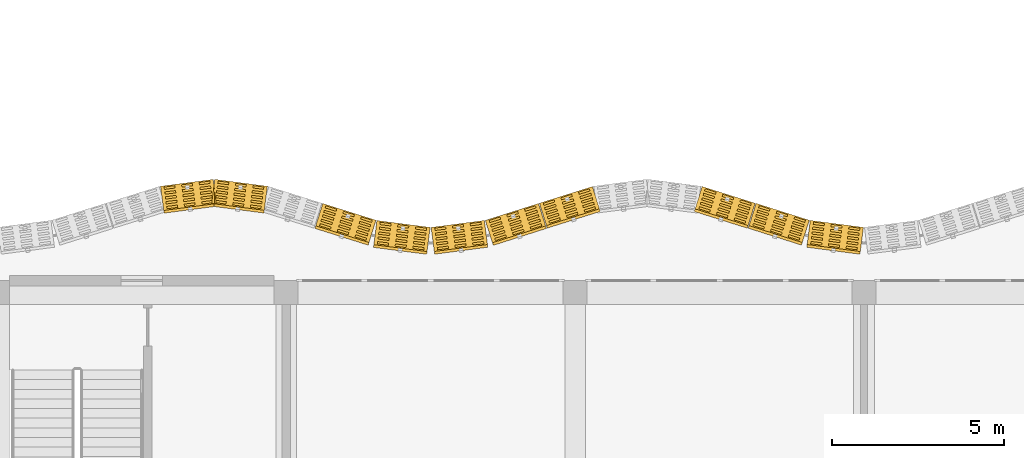
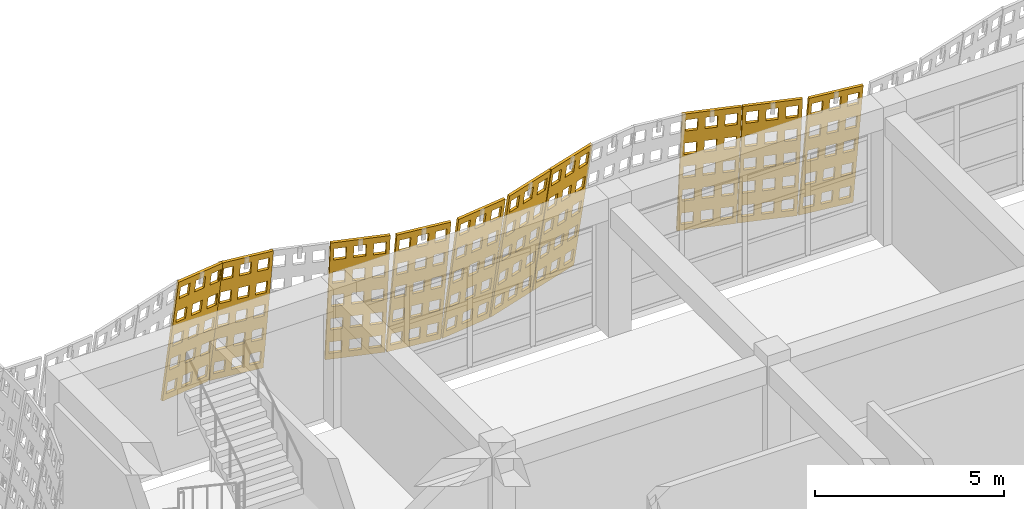
# One storey, part 124 of 162: 10 coverings.
"""IFC4 building model written with IfcOpenShell, lengths in metres."""

from ifc_helpers import new_model, si_unit, direction, frame, origin, place, context, subcontext, project, spatial, polyline, outline, extrude, material, layer, layer_set, type_object, element, save


model = new_model("IFC4")

# Units and contexts
model_context = context("Model", 3, precision=1e-05, world=origin(), true_north=direction((0.0, 1.0)))
body_context = subcontext(model_context, "Body", "Model", "MODEL_VIEW")
ifc_project = project(units=[si_unit("LENGTHUNIT", "METRE"), si_unit("AREAUNIT", "SQUARE_METRE"), si_unit("VOLUMEUNIT", "CUBIC_METRE"), si_unit("PLANEANGLEUNIT", "RADIAN"), si_unit("MASSUNIT", "GRAM", prefix="KILO")], contexts=[model_context])

# Site, building, storey
site_placement = place(None, origin())
site = spatial("IfcSite", under=ifc_project, at=site_placement, CompositionType="ELEMENT")
building_placement = place(site_placement, origin())
building = spatial("IfcBuilding", under=site, at=building_placement, Name="Rain Tree Exposition and Congress Centre", CompositionType="ELEMENT")
storey_placement = place(building_placement, frame((0.0, 0.0, 6.0)))
storey = spatial("IfcBuildingStorey", under=building, at=storey_placement, Name="L01", CompositionType="ELEMENT", Elevation=6.0)

# Coverings
ifc_material = material(Name="Perforated terracotta", Category="masonry")
ifc_layer = layer(ifc_material, 0.080078125)
ifc_layer_set = layer_set([ifc_layer], Name="Perforated terracotta")
covering_type = type_object("IfcCoveringType", Name="Terracotta screen 80", PredefinedType="CLADDING", material=ifc_layer_set)
covering_1_placement = place(storey_placement, frame((25.19970703125, 52.298095703125, 0.01318359375), z_axis=(-0.128349774249, -0.9779030419, -0.165021138321), x_axis=(0.991496427865, -0.130133906157, 0.0)))
element("IfcCovering", 1, at=covering_1_placement, inside=storey, type_object=covering_type, Name="wing/screen/L01/085", PredefinedType="CLADDING", context=body_context, shape_type="SweptSolid", body=[
    extrude(outline(polyline([(-1.5732421875, 0.0), (-1.5732421875, 4.295166015625), (-0.014892578125, 4.295166015625), (-0.014892578125, 0.0), (-1.5732421875, 0.0)]), holes=[polyline([(-0.11376953125, 0.2216796875), (-0.11376953125, 0.63720703125), (-0.435791015625, 0.63720703125), (-0.435791015625, 0.2216796875), (-0.11376953125, 0.2216796875)]), polyline([(-0.11376953125, 1.080810546875), (-0.11376953125, 1.496337890625), (-0.435791015625, 1.496337890625), (-0.435791015625, 1.080810546875), (-0.11376953125, 1.080810546875)]), polyline([(-0.11376953125, 1.939697265625), (-0.11376953125, 2.35546875), (-0.435791015625, 2.35546875), (-0.435791015625, 1.939697265625), (-0.11376953125, 1.939697265625)]), polyline([(-0.11376953125, 2.798583984375), (-0.11376953125, 3.21435546875), (-0.435791015625, 3.21435546875), (-0.435791015625, 2.798583984375), (-0.11376953125, 2.798583984375)]), polyline([(-0.11376953125, 3.65771484375), (-0.11376953125, 4.073486328125), (-0.435791015625, 4.073486328125), (-0.435791015625, 3.65771484375), (-0.11376953125, 3.65771484375)]), polyline([(-0.633056640625, 0.2216796875), (-0.633056640625, 0.63720703125), (-0.955078125, 0.63720703125), (-0.955078125, 0.2216796875), (-0.633056640625, 0.2216796875)]), polyline([(-0.633056640625, 1.080810546875), (-0.633056640625, 1.496337890625), (-0.955078125, 1.496337890625), (-0.955078125, 1.080810546875), (-0.633056640625, 1.080810546875)]), polyline([(-0.633056640625, 1.939697265625), (-0.633056640625, 2.35546875), (-0.955078125, 2.35546875), (-0.955078125, 1.939697265625), (-0.633056640625, 1.939697265625)]), polyline([(-0.633056640625, 2.798583984375), (-0.633056640625, 3.21435546875), (-0.955078125, 3.21435546875), (-0.955078125, 2.798583984375), (-0.633056640625, 2.798583984375)]), polyline([(-0.633056640625, 3.65771484375), (-0.633056640625, 4.073486328125), (-0.955078125, 4.073486328125), (-0.955078125, 3.65771484375), (-0.633056640625, 3.65771484375)]), polyline([(-1.152587890625, 0.2216796875), (-1.152587890625, 0.63720703125), (-1.474609375, 0.63720703125), (-1.474609375, 0.2216796875), (-1.152587890625, 0.2216796875)]), polyline([(-1.152587890625, 1.080810546875), (-1.152587890625, 1.496337890625), (-1.474609375, 1.496337890625), (-1.474609375, 1.080810546875), (-1.152587890625, 1.080810546875)]), polyline([(-1.152587890625, 1.939697265625), (-1.152587890625, 2.35546875), (-1.474609375, 2.35546875), (-1.474609375, 1.939697265625), (-1.152587890625, 1.939697265625)]), polyline([(-1.152587890625, 2.798583984375), (-1.152587890625, 3.21435546875), (-1.474609375, 3.21435546875), (-1.474609375, 2.798583984375), (-1.152587890625, 2.798583984375)]), polyline([(-1.152587890625, 3.65771484375), (-1.152587890625, 4.073486328125), (-1.474609375, 4.073486328125), (-1.474609375, 3.65771484375), (-1.152587890625, 3.65771484375)])]), origin(), (0.0, 0.0, 1.0), 0.079833984375),
])
covering_2_placement = place(storey_placement, frame((23.62451171875, 52.50341796875, 0.0126953125), z_axis=(-0.298496232686, -0.941176896939, -0.158385756119), x_axis=(0.953208958144, -0.302312226207, 0.0)))
element("IfcCovering", 2, at=covering_2_placement, inside=storey, type_object=covering_type, Name="wing/screen/L01/086", PredefinedType="CLADDING", context=body_context, shape_type="SweptSolid", body=[
    extrude(outline(polyline([(-1.635986328125, 0.0), (-1.635986328125, 4.291259765625), (-0.014892578125, 4.291259765625), (-0.014892578125, 0.0), (-1.635986328125, 0.0)]), holes=[polyline([(-0.11767578125, 0.221435546875), (-0.11767578125, 0.63671875), (-0.45263671875, 0.63671875), (-0.45263671875, 0.221435546875), (-0.11767578125, 0.221435546875)]), polyline([(-0.11767578125, 1.07958984375), (-0.11767578125, 1.4951171875), (-0.45263671875, 1.4951171875), (-0.45263671875, 1.07958984375), (-0.11767578125, 1.07958984375)]), polyline([(-0.11767578125, 1.93798828125), (-0.11767578125, 2.353271484375), (-0.45263671875, 2.353271484375), (-0.45263671875, 1.93798828125), (-0.11767578125, 1.93798828125)]), polyline([(-0.11767578125, 2.796142578125), (-0.11767578125, 3.21142578125), (-0.45263671875, 3.21142578125), (-0.45263671875, 2.796142578125), (-0.11767578125, 2.796142578125)]), polyline([(-0.11767578125, 3.654541015625), (-0.11767578125, 4.06982421875), (-0.45263671875, 4.06982421875), (-0.45263671875, 3.654541015625), (-0.11767578125, 3.654541015625)]), polyline([(-0.657958984375, 0.221435546875), (-0.657958984375, 0.63671875), (-0.992919921875, 0.63671875), (-0.992919921875, 0.221435546875), (-0.657958984375, 0.221435546875)]), polyline([(-0.657958984375, 1.07958984375), (-0.657958984375, 1.4951171875), (-0.992919921875, 1.4951171875), (-0.992919921875, 1.07958984375), (-0.657958984375, 1.07958984375)]), polyline([(-0.657958984375, 1.93798828125), (-0.657958984375, 2.353271484375), (-0.992919921875, 2.353271484375), (-0.992919921875, 1.93798828125), (-0.657958984375, 1.93798828125)]), polyline([(-0.657958984375, 2.796142578125), (-0.657958984375, 3.21142578125), (-0.992919921875, 3.21142578125), (-0.992919921875, 2.796142578125), (-0.657958984375, 2.796142578125)]), polyline([(-0.657958984375, 3.654541015625), (-0.657958984375, 4.06982421875), (-0.992919921875, 4.06982421875), (-0.992919921875, 3.654541015625), (-0.657958984375, 3.654541015625)]), polyline([(-1.1982421875, 0.221435546875), (-1.1982421875, 0.63671875), (-1.533203125, 0.63671875), (-1.533203125, 0.221435546875), (-1.1982421875, 0.221435546875)]), polyline([(-1.1982421875, 1.07958984375), (-1.1982421875, 1.4951171875), (-1.533203125, 1.4951171875), (-1.533203125, 1.07958984375), (-1.1982421875, 1.07958984375)]), polyline([(-1.1982421875, 1.93798828125), (-1.1982421875, 2.353271484375), (-1.533203125, 2.353271484375), (-1.533203125, 1.93798828125), (-1.1982421875, 1.93798828125)]), polyline([(-1.1982421875, 2.796142578125), (-1.1982421875, 3.21142578125), (-1.533203125, 3.21142578125), (-1.533203125, 2.796142578125), (-1.1982421875, 2.796142578125)]), polyline([(-1.1982421875, 3.654541015625), (-1.1982421875, 4.06982421875), (-1.533203125, 4.06982421875), (-1.533203125, 3.654541015625), (-1.1982421875, 3.654541015625)])]), origin(), (0.0, 0.0, 1.0), 0.080078125),
])
covering_3_placement = place(storey_placement, frame((22.04931640625, 52.998291015625, 0.0126953125), z_axis=(-0.296569528658, -0.941684688936, -0.158985726703), x_axis=(0.953816392794, -0.300390227601, 0.0)))
element("IfcCovering", 3, at=covering_3_placement, inside=storey, type_object=covering_type, Name="wing/screen/L01/087", PredefinedType="CLADDING", context=body_context, shape_type="SweptSolid", body=[
    extrude(outline(polyline([(-1.62890625, 0.0), (-1.62890625, 4.291259765625), (-0.014892578125, 4.291259765625), (-0.014892578125, 0.0), (-1.62890625, 0.0)]), holes=[polyline([(-0.1171875, 0.221435546875), (-0.1171875, 0.63671875), (-0.45068359375, 0.63671875), (-0.45068359375, 0.221435546875), (-0.1171875, 0.221435546875)]), polyline([(-0.1171875, 1.07958984375), (-0.1171875, 1.4951171875), (-0.45068359375, 1.4951171875), (-0.45068359375, 1.07958984375), (-0.1171875, 1.07958984375)]), polyline([(-0.1171875, 1.93798828125), (-0.1171875, 2.353271484375), (-0.45068359375, 2.353271484375), (-0.45068359375, 1.93798828125), (-0.1171875, 1.93798828125)]), polyline([(-0.1171875, 2.796142578125), (-0.1171875, 3.21142578125), (-0.45068359375, 3.21142578125), (-0.45068359375, 2.796142578125), (-0.1171875, 2.796142578125)]), polyline([(-0.1171875, 3.654541015625), (-0.1171875, 4.06982421875), (-0.45068359375, 4.06982421875), (-0.45068359375, 3.654541015625), (-0.1171875, 3.654541015625)]), polyline([(-0.6552734375, 0.221435546875), (-0.6552734375, 0.63671875), (-0.98876953125, 0.63671875), (-0.98876953125, 0.221435546875), (-0.6552734375, 0.221435546875)]), polyline([(-0.6552734375, 1.07958984375), (-0.6552734375, 1.4951171875), (-0.98876953125, 1.4951171875), (-0.98876953125, 1.07958984375), (-0.6552734375, 1.07958984375)]), polyline([(-0.6552734375, 1.93798828125), (-0.6552734375, 2.353271484375), (-0.98876953125, 2.353271484375), (-0.98876953125, 1.93798828125), (-0.6552734375, 1.93798828125)]), polyline([(-0.6552734375, 2.796142578125), (-0.6552734375, 3.21142578125), (-0.98876953125, 3.21142578125), (-0.98876953125, 2.796142578125), (-0.6552734375, 2.796142578125)]), polyline([(-0.6552734375, 3.654541015625), (-0.6552734375, 4.06982421875), (-0.98876953125, 4.06982421875), (-0.98876953125, 3.654541015625), (-0.6552734375, 3.654541015625)]), polyline([(-1.193115234375, 0.221435546875), (-1.193115234375, 0.63671875), (-1.526611328125, 0.63671875), (-1.526611328125, 0.221435546875), (-1.193115234375, 0.221435546875)]), polyline([(-1.193115234375, 1.07958984375), (-1.193115234375, 1.4951171875), (-1.526611328125, 1.4951171875), (-1.526611328125, 1.07958984375), (-1.193115234375, 1.07958984375)]), polyline([(-1.193115234375, 1.93798828125), (-1.193115234375, 2.353271484375), (-1.526611328125, 2.353271484375), (-1.526611328125, 1.93798828125), (-1.193115234375, 1.93798828125)]), polyline([(-1.193115234375, 2.796142578125), (-1.193115234375, 3.21142578125), (-1.526611328125, 3.21142578125), (-1.526611328125, 2.796142578125), (-1.193115234375, 2.796142578125)]), polyline([(-1.193115234375, 3.654541015625), (-1.193115234375, 4.06982421875), (-1.526611328125, 4.06982421875), (-1.526611328125, 3.654541015625), (-1.193115234375, 3.654541015625)])]), origin(), (0.0, 0.0, 1.0), 0.079833984375),
])
covering_4_placement = place(storey_placement, frame((17.32568359375, 53.493408203125, 0.0126953125), z_axis=(0.295717964052, -0.942029390639, -0.158529217842), x_axis=(0.954094597562, 0.29950542383, 0.0)))
element("IfcCovering", 4, at=covering_4_placement, inside=storey, type_object=covering_type, Name="wing/screen/L01/090", PredefinedType="CLADDING", context=body_context, shape_type="SweptSolid", body=[
    extrude(outline(polyline([(-1.635986328125, 0.0), (-1.635986328125, 4.291259765625), (-0.02197265625, 4.291259765625), (-0.02197265625, 0.0), (-1.635986328125, 0.0)]), holes=[polyline([(-0.124267578125, 0.221435546875), (-0.124267578125, 0.63671875), (-0.457763671875, 0.63671875), (-0.457763671875, 0.221435546875), (-0.124267578125, 0.221435546875)]), polyline([(-0.124267578125, 1.07958984375), (-0.124267578125, 1.4951171875), (-0.457763671875, 1.4951171875), (-0.457763671875, 1.07958984375), (-0.124267578125, 1.07958984375)]), polyline([(-0.124267578125, 1.93798828125), (-0.124267578125, 2.353271484375), (-0.457763671875, 2.353271484375), (-0.457763671875, 1.93798828125), (-0.124267578125, 1.93798828125)]), polyline([(-0.124267578125, 2.796142578125), (-0.124267578125, 3.21142578125), (-0.457763671875, 3.21142578125), (-0.457763671875, 2.796142578125), (-0.124267578125, 2.796142578125)]), polyline([(-0.124267578125, 3.654541015625), (-0.124267578125, 4.06982421875), (-0.457763671875, 4.06982421875), (-0.457763671875, 3.654541015625), (-0.124267578125, 3.654541015625)]), polyline([(-0.662109375, 0.221435546875), (-0.662109375, 0.63671875), (-0.995849609375, 0.63671875), (-0.995849609375, 0.221435546875), (-0.662109375, 0.221435546875)]), polyline([(-0.662109375, 1.07958984375), (-0.662109375, 1.4951171875), (-0.995849609375, 1.4951171875), (-0.995849609375, 1.07958984375), (-0.662109375, 1.07958984375)]), polyline([(-0.662109375, 1.93798828125), (-0.662109375, 2.353271484375), (-0.995849609375, 2.353271484375), (-0.995849609375, 1.93798828125), (-0.662109375, 1.93798828125)]), polyline([(-0.662109375, 2.796142578125), (-0.662109375, 3.21142578125), (-0.995849609375, 3.21142578125), (-0.995849609375, 2.796142578125), (-0.662109375, 2.796142578125)]), polyline([(-0.662109375, 3.654541015625), (-0.662109375, 4.06982421875), (-0.995849609375, 4.06982421875), (-0.995849609375, 3.654541015625), (-0.662109375, 3.654541015625)]), polyline([(-1.2001953125, 0.221435546875), (-1.2001953125, 0.63671875), (-1.53369140625, 0.63671875), (-1.53369140625, 0.221435546875), (-1.2001953125, 0.221435546875)]), polyline([(-1.2001953125, 1.07958984375), (-1.2001953125, 1.4951171875), (-1.53369140625, 1.4951171875), (-1.53369140625, 1.07958984375), (-1.2001953125, 1.07958984375)]), polyline([(-1.2001953125, 1.93798828125), (-1.2001953125, 2.353271484375), (-1.53369140625, 2.353271484375), (-1.53369140625, 1.93798828125), (-1.2001953125, 1.93798828125)]), polyline([(-1.2001953125, 2.796142578125), (-1.2001953125, 3.21142578125), (-1.53369140625, 3.21142578125), (-1.53369140625, 2.796142578125), (-1.2001953125, 2.796142578125)]), polyline([(-1.2001953125, 3.654541015625), (-1.2001953125, 4.06982421875), (-1.53369140625, 4.06982421875), (-1.53369140625, 3.654541015625), (-1.2001953125, 3.654541015625)])]), origin(), (0.0, 0.0, 1.0), 0.080078125),
])
covering_5_placement = place(storey_placement, frame((15.75048828125, 52.998291015625, 0.0126953125), z_axis=(0.299354235996, -0.940827598844, -0.158841023181), x_axis=(0.952925780013, 0.303203657277, 0.0)))
element("IfcCovering", 5, at=covering_5_placement, inside=storey, type_object=covering_type, Name="wing/screen/L01/091", PredefinedType="CLADDING", context=body_context, shape_type="SweptSolid", body=[
    extrude(outline(polyline([(-1.635986328125, 0.0), (-1.635986328125, 4.291259765625), (-0.014892578125, 4.291259765625), (-0.014892578125, 0.0), (-1.635986328125, 0.0)]), holes=[polyline([(-0.11767578125, 0.221435546875), (-0.11767578125, 0.63671875), (-0.45263671875, 0.63671875), (-0.45263671875, 0.221435546875), (-0.11767578125, 0.221435546875)]), polyline([(-0.11767578125, 1.07958984375), (-0.11767578125, 1.4951171875), (-0.45263671875, 1.4951171875), (-0.45263671875, 1.07958984375), (-0.11767578125, 1.07958984375)]), polyline([(-0.11767578125, 1.93798828125), (-0.11767578125, 2.353271484375), (-0.45263671875, 2.353271484375), (-0.45263671875, 1.93798828125), (-0.11767578125, 1.93798828125)]), polyline([(-0.11767578125, 2.796142578125), (-0.11767578125, 3.21142578125), (-0.45263671875, 3.21142578125), (-0.45263671875, 2.796142578125), (-0.11767578125, 2.796142578125)]), polyline([(-0.11767578125, 3.654541015625), (-0.11767578125, 4.06982421875), (-0.45263671875, 4.06982421875), (-0.45263671875, 3.654541015625), (-0.11767578125, 3.654541015625)]), polyline([(-0.657958984375, 0.221435546875), (-0.657958984375, 0.63671875), (-0.992919921875, 0.63671875), (-0.992919921875, 0.221435546875), (-0.657958984375, 0.221435546875)]), polyline([(-0.657958984375, 1.07958984375), (-0.657958984375, 1.4951171875), (-0.992919921875, 1.4951171875), (-0.992919921875, 1.07958984375), (-0.657958984375, 1.07958984375)]), polyline([(-0.657958984375, 1.93798828125), (-0.657958984375, 2.353271484375), (-0.992919921875, 2.353271484375), (-0.992919921875, 1.93798828125), (-0.657958984375, 1.93798828125)]), polyline([(-0.657958984375, 2.796142578125), (-0.657958984375, 3.21142578125), (-0.992919921875, 3.21142578125), (-0.992919921875, 2.796142578125), (-0.657958984375, 2.796142578125)]), polyline([(-0.657958984375, 3.654541015625), (-0.657958984375, 4.06982421875), (-0.992919921875, 4.06982421875), (-0.992919921875, 3.654541015625), (-0.657958984375, 3.654541015625)]), polyline([(-1.1982421875, 0.221435546875), (-1.1982421875, 0.63671875), (-1.533203125, 0.63671875), (-1.533203125, 0.221435546875), (-1.1982421875, 0.221435546875)]), polyline([(-1.1982421875, 1.07958984375), (-1.1982421875, 1.4951171875), (-1.533203125, 1.4951171875), (-1.533203125, 1.07958984375), (-1.1982421875, 1.07958984375)]), polyline([(-1.1982421875, 1.93798828125), (-1.1982421875, 2.353271484375), (-1.533203125, 2.353271484375), (-1.533203125, 1.93798828125), (-1.1982421875, 1.93798828125)]), polyline([(-1.1982421875, 2.796142578125), (-1.1982421875, 3.21142578125), (-1.533203125, 3.21142578125), (-1.533203125, 2.796142578125), (-1.1982421875, 2.796142578125)]), polyline([(-1.1982421875, 3.654541015625), (-1.1982421875, 4.06982421875), (-1.533203125, 4.06982421875), (-1.533203125, 3.654541015625), (-1.1982421875, 3.654541015625)])]), origin(), (0.0, 0.0, 1.0), 0.079833984375),
])
covering_6_placement = place(storey_placement, frame((14.17529296875, 52.503173828125, 0.01318359375), z_axis=(0.127967328105, -0.978036007662, -0.16452942185), x_axis=(0.991548658387, 0.129735338481, 0.0)))
element("IfcCovering", 6, at=covering_6_placement, inside=storey, type_object=covering_type, Name="wing/screen/L01/092", PredefinedType="CLADDING", context=body_context, shape_type="SweptSolid", body=[
    extrude(outline(polyline([(-1.5732421875, 0.0), (-1.5732421875, 4.295166015625), (-0.014892578125, 4.295166015625), (-0.014892578125, 0.0), (-1.5732421875, 0.0)]), holes=[polyline([(-0.11376953125, 0.2216796875), (-0.11376953125, 0.63720703125), (-0.435791015625, 0.63720703125), (-0.435791015625, 0.2216796875), (-0.11376953125, 0.2216796875)]), polyline([(-0.11376953125, 1.080810546875), (-0.11376953125, 1.496337890625), (-0.435791015625, 1.496337890625), (-0.435791015625, 1.080810546875), (-0.11376953125, 1.080810546875)]), polyline([(-0.11376953125, 1.939697265625), (-0.11376953125, 2.35546875), (-0.435791015625, 2.35546875), (-0.435791015625, 1.939697265625), (-0.11376953125, 1.939697265625)]), polyline([(-0.11376953125, 2.798583984375), (-0.11376953125, 3.21435546875), (-0.435791015625, 3.21435546875), (-0.435791015625, 2.798583984375), (-0.11376953125, 2.798583984375)]), polyline([(-0.11376953125, 3.65771484375), (-0.11376953125, 4.073486328125), (-0.435791015625, 4.073486328125), (-0.435791015625, 3.65771484375), (-0.11376953125, 3.65771484375)]), polyline([(-0.633056640625, 0.2216796875), (-0.633056640625, 0.63720703125), (-0.955078125, 0.63720703125), (-0.955078125, 0.2216796875), (-0.633056640625, 0.2216796875)]), polyline([(-0.633056640625, 1.080810546875), (-0.633056640625, 1.496337890625), (-0.955078125, 1.496337890625), (-0.955078125, 1.080810546875), (-0.633056640625, 1.080810546875)]), polyline([(-0.633056640625, 1.939697265625), (-0.633056640625, 2.35546875), (-0.955078125, 2.35546875), (-0.955078125, 1.939697265625), (-0.633056640625, 1.939697265625)]), polyline([(-0.633056640625, 2.798583984375), (-0.633056640625, 3.21435546875), (-0.955078125, 3.21435546875), (-0.955078125, 2.798583984375), (-0.633056640625, 2.798583984375)]), polyline([(-0.633056640625, 3.65771484375), (-0.633056640625, 4.073486328125), (-0.955078125, 4.073486328125), (-0.955078125, 3.65771484375), (-0.633056640625, 3.65771484375)]), polyline([(-1.152587890625, 0.2216796875), (-1.152587890625, 0.63720703125), (-1.474609375, 0.63720703125), (-1.474609375, 0.2216796875), (-1.152587890625, 0.2216796875)]), polyline([(-1.152587890625, 1.080810546875), (-1.152587890625, 1.496337890625), (-1.474609375, 1.496337890625), (-1.474609375, 1.080810546875), (-1.152587890625, 1.080810546875)]), polyline([(-1.152587890625, 1.939697265625), (-1.152587890625, 2.35546875), (-1.474609375, 2.35546875), (-1.474609375, 1.939697265625), (-1.152587890625, 1.939697265625)]), polyline([(-1.152587890625, 2.798583984375), (-1.152587890625, 3.21435546875), (-1.474609375, 3.21435546875), (-1.474609375, 2.798583984375), (-1.152587890625, 2.798583984375)]), polyline([(-1.152587890625, 3.65771484375), (-1.152587890625, 4.073486328125), (-1.474609375, 4.073486328125), (-1.474609375, 3.65771484375), (-1.152587890625, 3.65771484375)])]), origin(), (0.0, 0.0, 1.0), 0.080078125),
])
covering_7_placement = place(storey_placement, frame((12.599609375, 52.298095703125, 0.01318359375), z_axis=(-0.125342414455, -0.978282259159, -0.165085131233), x_axis=(0.991891686382, -0.127086122318, 0.0)))
element("IfcCovering", 7, at=covering_7_placement, inside=storey, type_object=covering_type, Name="wing/screen/L01/093", PredefinedType="CLADDING", context=body_context, shape_type="SweptSolid", body=[
    extrude(outline(polyline([(-1.5732421875, 0.0), (-1.5732421875, 4.295166015625), (-0.014892578125, 4.295166015625), (-0.014892578125, 0.0), (-1.5732421875, 0.0)]), holes=[polyline([(-0.11376953125, 0.2216796875), (-0.11376953125, 0.63720703125), (-0.435791015625, 0.63720703125), (-0.435791015625, 0.2216796875), (-0.11376953125, 0.2216796875)]), polyline([(-0.11376953125, 1.080810546875), (-0.11376953125, 1.496337890625), (-0.435791015625, 1.496337890625), (-0.435791015625, 1.080810546875), (-0.11376953125, 1.080810546875)]), polyline([(-0.11376953125, 1.939697265625), (-0.11376953125, 2.35546875), (-0.435791015625, 2.35546875), (-0.435791015625, 1.939697265625), (-0.11376953125, 1.939697265625)]), polyline([(-0.11376953125, 2.798583984375), (-0.11376953125, 3.21435546875), (-0.435791015625, 3.21435546875), (-0.435791015625, 2.798583984375), (-0.11376953125, 2.798583984375)]), polyline([(-0.11376953125, 3.65771484375), (-0.11376953125, 4.073486328125), (-0.435791015625, 4.073486328125), (-0.435791015625, 3.65771484375), (-0.11376953125, 3.65771484375)]), polyline([(-0.633056640625, 0.2216796875), (-0.633056640625, 0.63720703125), (-0.955078125, 0.63720703125), (-0.955078125, 0.2216796875), (-0.633056640625, 0.2216796875)]), polyline([(-0.633056640625, 1.080810546875), (-0.633056640625, 1.496337890625), (-0.955078125, 1.496337890625), (-0.955078125, 1.080810546875), (-0.633056640625, 1.080810546875)]), polyline([(-0.633056640625, 1.939697265625), (-0.633056640625, 2.35546875), (-0.955078125, 2.35546875), (-0.955078125, 1.939697265625), (-0.633056640625, 1.939697265625)]), polyline([(-0.633056640625, 2.798583984375), (-0.633056640625, 3.21435546875), (-0.955078125, 3.21435546875), (-0.955078125, 2.798583984375), (-0.633056640625, 2.798583984375)]), polyline([(-0.633056640625, 3.65771484375), (-0.633056640625, 4.073486328125), (-0.955078125, 4.073486328125), (-0.955078125, 3.65771484375), (-0.633056640625, 3.65771484375)]), polyline([(-1.152587890625, 0.2216796875), (-1.152587890625, 0.63720703125), (-1.474609375, 0.63720703125), (-1.474609375, 0.2216796875), (-1.152587890625, 0.2216796875)]), polyline([(-1.152587890625, 1.080810546875), (-1.152587890625, 1.496337890625), (-1.474609375, 1.496337890625), (-1.474609375, 1.080810546875), (-1.152587890625, 1.080810546875)]), polyline([(-1.152587890625, 1.939697265625), (-1.152587890625, 2.35546875), (-1.474609375, 2.35546875), (-1.474609375, 1.939697265625), (-1.152587890625, 1.939697265625)]), polyline([(-1.152587890625, 2.798583984375), (-1.152587890625, 3.21435546875), (-1.474609375, 3.21435546875), (-1.474609375, 2.798583984375), (-1.152587890625, 2.798583984375)]), polyline([(-1.152587890625, 3.65771484375), (-1.152587890625, 4.073486328125), (-1.474609375, 4.073486328125), (-1.474609375, 3.65771484375), (-1.152587890625, 3.65771484375)])]), origin(), (0.0, 0.0, 1.0), 0.079833984375),
])
covering_8_placement = place(storey_placement, frame((11.0244140625, 52.50341796875, 0.0126953125), z_axis=(-0.295717964052, -0.942029390639, -0.158529217842), x_axis=(0.954094597562, -0.29950542383, 0.0)))
element("IfcCovering", 8, at=covering_8_placement, inside=storey, type_object=covering_type, Name="wing/screen/L01/094", PredefinedType="CLADDING", context=body_context, shape_type="SweptSolid", body=[
    extrude(outline(polyline([(-1.635986328125, 0.0), (-1.635986328125, 4.291259765625), (-0.014892578125, 4.291259765625), (-0.014892578125, 0.0), (-1.635986328125, 0.0)]), holes=[polyline([(-0.11767578125, 0.221435546875), (-0.11767578125, 0.63671875), (-0.45263671875, 0.63671875), (-0.45263671875, 0.221435546875), (-0.11767578125, 0.221435546875)]), polyline([(-0.11767578125, 1.07958984375), (-0.11767578125, 1.4951171875), (-0.45263671875, 1.4951171875), (-0.45263671875, 1.07958984375), (-0.11767578125, 1.07958984375)]), polyline([(-0.11767578125, 1.93798828125), (-0.11767578125, 2.353271484375), (-0.45263671875, 2.353271484375), (-0.45263671875, 1.93798828125), (-0.11767578125, 1.93798828125)]), polyline([(-0.11767578125, 2.796142578125), (-0.11767578125, 3.21142578125), (-0.45263671875, 3.21142578125), (-0.45263671875, 2.796142578125), (-0.11767578125, 2.796142578125)]), polyline([(-0.11767578125, 3.654541015625), (-0.11767578125, 4.06982421875), (-0.45263671875, 4.06982421875), (-0.45263671875, 3.654541015625), (-0.11767578125, 3.654541015625)]), polyline([(-0.657958984375, 0.221435546875), (-0.657958984375, 0.63671875), (-0.992919921875, 0.63671875), (-0.992919921875, 0.221435546875), (-0.657958984375, 0.221435546875)]), polyline([(-0.657958984375, 1.07958984375), (-0.657958984375, 1.4951171875), (-0.992919921875, 1.4951171875), (-0.992919921875, 1.07958984375), (-0.657958984375, 1.07958984375)]), polyline([(-0.657958984375, 1.93798828125), (-0.657958984375, 2.353271484375), (-0.992919921875, 2.353271484375), (-0.992919921875, 1.93798828125), (-0.657958984375, 1.93798828125)]), polyline([(-0.657958984375, 2.796142578125), (-0.657958984375, 3.21142578125), (-0.992919921875, 3.21142578125), (-0.992919921875, 2.796142578125), (-0.657958984375, 2.796142578125)]), polyline([(-0.657958984375, 3.654541015625), (-0.657958984375, 4.06982421875), (-0.992919921875, 4.06982421875), (-0.992919921875, 3.654541015625), (-0.657958984375, 3.654541015625)]), polyline([(-1.1982421875, 0.221435546875), (-1.1982421875, 0.63671875), (-1.533203125, 0.63671875), (-1.533203125, 0.221435546875), (-1.1982421875, 0.221435546875)]), polyline([(-1.1982421875, 1.07958984375), (-1.1982421875, 1.4951171875), (-1.533203125, 1.4951171875), (-1.533203125, 1.07958984375), (-1.1982421875, 1.07958984375)]), polyline([(-1.1982421875, 1.93798828125), (-1.1982421875, 2.353271484375), (-1.533203125, 2.353271484375), (-1.533203125, 1.93798828125), (-1.1982421875, 1.93798828125)]), polyline([(-1.1982421875, 2.796142578125), (-1.1982421875, 3.21142578125), (-1.533203125, 3.21142578125), (-1.533203125, 2.796142578125), (-1.1982421875, 2.796142578125)]), polyline([(-1.1982421875, 3.654541015625), (-1.1982421875, 4.06982421875), (-1.533203125, 4.06982421875), (-1.533203125, 3.654541015625), (-1.1982421875, 3.654541015625)])]), origin(), (0.0, 0.0, 1.0), 0.080078125),
])
covering_9_placement = place(storey_placement, frame((7.874755859375, 53.4931640625, 0.01318359375), z_axis=(-0.127967328105, -0.978036007662, -0.16452942185), x_axis=(0.991548658387, -0.129735338481, 0.0)))
element("IfcCovering", 9, at=covering_9_placement, inside=storey, type_object=covering_type, Name="wing/screen/L01/096", PredefinedType="CLADDING", context=body_context, shape_type="SweptSolid", body=[
    extrude(outline(polyline([(-1.56298828125, 0.0), (-1.56298828125, 4.295166015625), (-0.02197265625, 4.295166015625), (-0.02197265625, 0.0), (-1.56298828125, 0.0)]), holes=[polyline([(-0.11962890625, 0.2216796875), (-0.11962890625, 0.63720703125), (-0.43798828125, 0.63720703125), (-0.43798828125, 0.2216796875), (-0.11962890625, 0.2216796875)]), polyline([(-0.11962890625, 1.080810546875), (-0.11962890625, 1.496337890625), (-0.43798828125, 1.496337890625), (-0.43798828125, 1.080810546875), (-0.11962890625, 1.080810546875)]), polyline([(-0.11962890625, 1.939697265625), (-0.11962890625, 2.35546875), (-0.43798828125, 2.35546875), (-0.43798828125, 1.939697265625), (-0.11962890625, 1.939697265625)]), polyline([(-0.11962890625, 2.798583984375), (-0.11962890625, 3.21435546875), (-0.43798828125, 3.21435546875), (-0.43798828125, 2.798583984375), (-0.11962890625, 2.798583984375)]), polyline([(-0.11962890625, 3.65771484375), (-0.11962890625, 4.073486328125), (-0.43798828125, 4.073486328125), (-0.43798828125, 3.65771484375), (-0.11962890625, 3.65771484375)]), polyline([(-0.63330078125, 0.2216796875), (-0.63330078125, 0.63720703125), (-0.95166015625, 0.63720703125), (-0.95166015625, 0.2216796875), (-0.63330078125, 0.2216796875)]), polyline([(-0.63330078125, 1.080810546875), (-0.63330078125, 1.496337890625), (-0.95166015625, 1.496337890625), (-0.95166015625, 1.080810546875), (-0.63330078125, 1.080810546875)]), polyline([(-0.63330078125, 1.939697265625), (-0.63330078125, 2.35546875), (-0.95166015625, 2.35546875), (-0.95166015625, 1.939697265625), (-0.63330078125, 1.939697265625)]), polyline([(-0.63330078125, 2.798583984375), (-0.63330078125, 3.21435546875), (-0.95166015625, 3.21435546875), (-0.95166015625, 2.798583984375), (-0.63330078125, 2.798583984375)]), polyline([(-0.63330078125, 3.65771484375), (-0.63330078125, 4.073486328125), (-0.95166015625, 4.073486328125), (-0.95166015625, 3.65771484375), (-0.63330078125, 3.65771484375)]), polyline([(-1.146728515625, 0.2216796875), (-1.146728515625, 0.63720703125), (-1.46533203125, 0.63720703125), (-1.46533203125, 0.2216796875), (-1.146728515625, 0.2216796875)]), polyline([(-1.146728515625, 1.080810546875), (-1.146728515625, 1.496337890625), (-1.46533203125, 1.496337890625), (-1.46533203125, 1.080810546875), (-1.146728515625, 1.080810546875)]), polyline([(-1.146728515625, 1.939697265625), (-1.146728515625, 2.35546875), (-1.46533203125, 2.35546875), (-1.46533203125, 1.939697265625), (-1.146728515625, 1.939697265625)]), polyline([(-1.146728515625, 2.798583984375), (-1.146728515625, 3.21435546875), (-1.46533203125, 3.21435546875), (-1.46533203125, 2.798583984375), (-1.146728515625, 2.798583984375)]), polyline([(-1.146728515625, 3.65771484375), (-1.146728515625, 4.073486328125), (-1.46533203125, 4.073486328125), (-1.46533203125, 3.65771484375), (-1.146728515625, 3.65771484375)])]), origin(), (0.0, 0.0, 1.0), 0.080078125),
])
covering_10_placement = place(storey_placement, frame((6.30029296875, 53.697998046875, 0.01318359375), z_axis=(0.128349774249, -0.9779030419, -0.165021138321), x_axis=(0.991496427865, 0.130133906157, 0.0)))
element("IfcCovering", 10, at=covering_10_placement, inside=storey, type_object=covering_type, Name="wing/screen/L01/097", PredefinedType="CLADDING", context=body_context, shape_type="SweptSolid", body=[
    extrude(outline(polyline([(-1.56640625, 0.0), (-1.56640625, 4.295166015625), (-0.025390625, 4.295166015625), (-0.025390625, 0.0), (-1.56640625, 0.0)]), holes=[polyline([(-0.123046875, 0.2216796875), (-0.123046875, 0.63720703125), (-0.44140625, 0.63720703125), (-0.44140625, 0.2216796875), (-0.123046875, 0.2216796875)]), polyline([(-0.123046875, 1.080810546875), (-0.123046875, 1.496337890625), (-0.44140625, 1.496337890625), (-0.44140625, 1.080810546875), (-0.123046875, 1.080810546875)]), polyline([(-0.123046875, 1.939697265625), (-0.123046875, 2.35546875), (-0.44140625, 2.35546875), (-0.44140625, 1.939697265625), (-0.123046875, 1.939697265625)]), polyline([(-0.123046875, 2.798583984375), (-0.123046875, 3.21435546875), (-0.44140625, 3.21435546875), (-0.44140625, 2.798583984375), (-0.123046875, 2.798583984375)]), polyline([(-0.123046875, 3.65771484375), (-0.123046875, 4.073486328125), (-0.44140625, 4.073486328125), (-0.44140625, 3.65771484375), (-0.123046875, 3.65771484375)]), polyline([(-0.63671875, 0.2216796875), (-0.63671875, 0.63720703125), (-0.955078125, 0.63720703125), (-0.955078125, 0.2216796875), (-0.63671875, 0.2216796875)]), polyline([(-0.63671875, 1.080810546875), (-0.63671875, 1.496337890625), (-0.955078125, 1.496337890625), (-0.955078125, 1.080810546875), (-0.63671875, 1.080810546875)]), polyline([(-0.63671875, 1.939697265625), (-0.63671875, 2.35546875), (-0.955078125, 2.35546875), (-0.955078125, 1.939697265625), (-0.63671875, 1.939697265625)]), polyline([(-0.63671875, 2.798583984375), (-0.63671875, 3.21435546875), (-0.955078125, 3.21435546875), (-0.955078125, 2.798583984375), (-0.63671875, 2.798583984375)]), polyline([(-0.63671875, 3.65771484375), (-0.63671875, 4.073486328125), (-0.955078125, 4.073486328125), (-0.955078125, 3.65771484375), (-0.63671875, 3.65771484375)]), polyline([(-1.150146484375, 0.2216796875), (-1.150146484375, 0.63720703125), (-1.46875, 0.63720703125), (-1.46875, 0.2216796875), (-1.150146484375, 0.2216796875)]), polyline([(-1.150146484375, 1.080810546875), (-1.150146484375, 1.496337890625), (-1.46875, 1.496337890625), (-1.46875, 1.080810546875), (-1.150146484375, 1.080810546875)]), polyline([(-1.150146484375, 1.939697265625), (-1.150146484375, 2.35546875), (-1.46875, 2.35546875), (-1.46875, 1.939697265625), (-1.150146484375, 1.939697265625)]), polyline([(-1.150146484375, 2.798583984375), (-1.150146484375, 3.21435546875), (-1.46875, 3.21435546875), (-1.46875, 2.798583984375), (-1.150146484375, 2.798583984375)]), polyline([(-1.150146484375, 3.65771484375), (-1.150146484375, 4.073486328125), (-1.46875, 4.073486328125), (-1.46875, 3.65771484375), (-1.150146484375, 3.65771484375)])]), origin(), (0.0, 0.0, 1.0), 0.079833984375),
])

save(model, "model.ifc")
